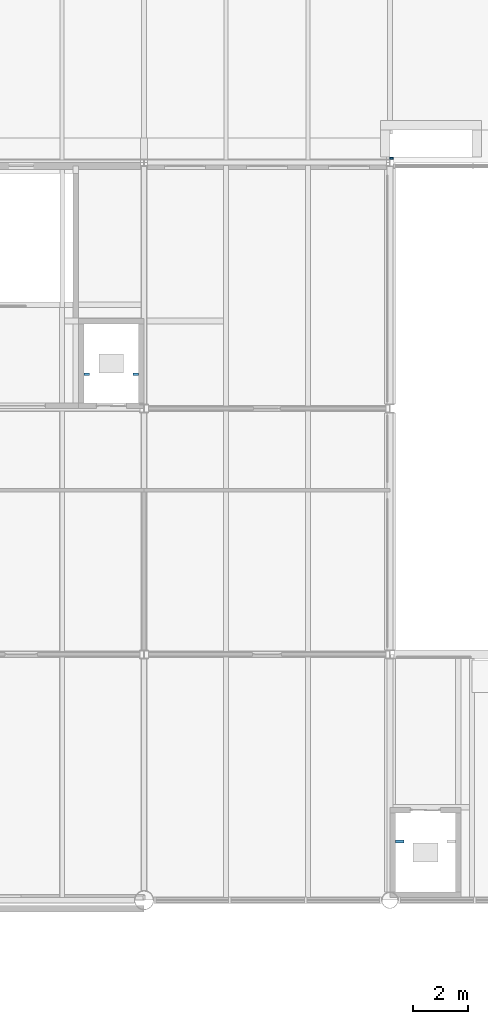
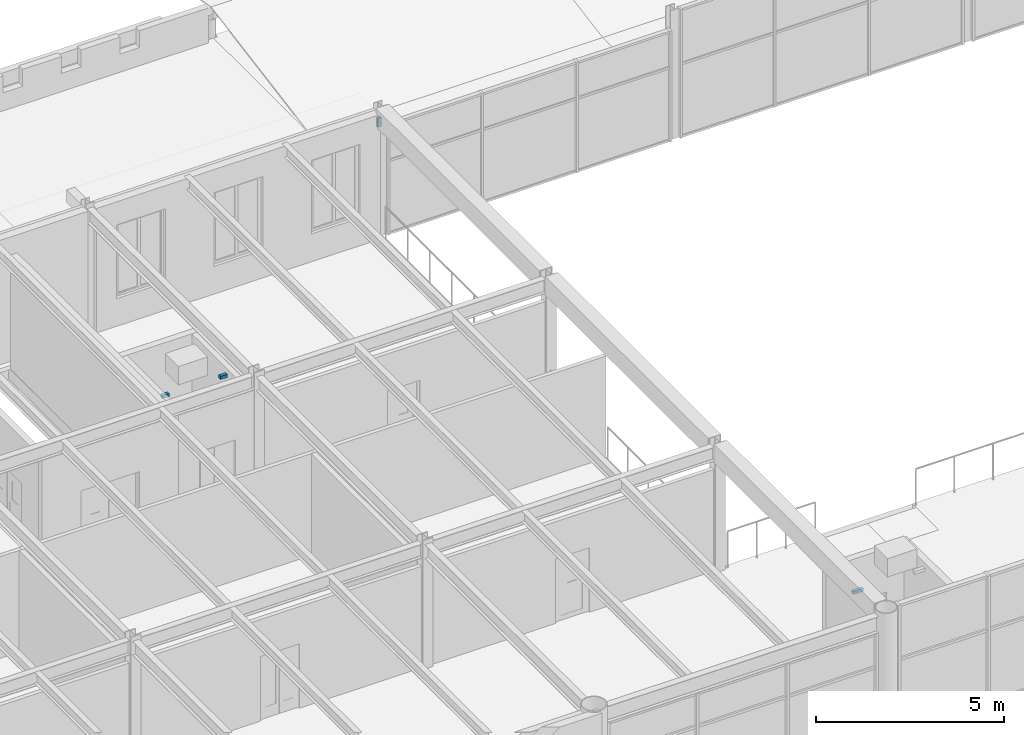
# One storey, part 93 of 123: 4 discrete accessories.
"""IFC4 building model written with IfcOpenShell, lengths in metres."""

from ifc_helpers import new_model, si_unit, direction, frame, origin, origin_2d, place, context, subcontext, project, spatial, rectangle, extrude, material, type_object, element, save


model = new_model("IFC4")

# Units and contexts
model_context = context("Model", 3, precision=1e-05, world=origin(), true_north=direction((0.0, 1.0)))
body_context = subcontext(model_context, "Body", "Model", "MODEL_VIEW")
ifc_project = project(units=[si_unit("LENGTHUNIT", "METRE"), si_unit("AREAUNIT", "SQUARE_METRE"), si_unit("VOLUMEUNIT", "CUBIC_METRE"), si_unit("PLANEANGLEUNIT", "RADIAN"), si_unit("MASSUNIT", "GRAM", prefix="KILO")], contexts=[model_context])

# Site, building, storey
site_placement = place(None, origin())
site = spatial("IfcSite", under=ifc_project, at=site_placement, CompositionType="ELEMENT")
building_placement = place(site_placement, origin())
building = spatial("IfcBuilding", under=site, at=building_placement, Name="Baradari Gate Terminus", CompositionType="ELEMENT")
storey_placement = place(building_placement, frame((0.0, 0.0, 7.5)))
storey = spatial("IfcBuildingStorey", under=building, at=storey_placement, Name="L01", CompositionType="ELEMENT", Elevation=7.5)

# Discrete accessories
ifc_material_1 = material(Name="Steel S355", Category="steel")
discrete_accessory_type_1 = type_object("IfcDiscreteAccessoryType", Name="Lift rail bracket RB-L1 100x100", PredefinedType="BRACKET", material=ifc_material_1)
for number, where, z_axis, x_axis, name in (
    (1, (123.905029296875, 100.25, 3.25), (0.0, 0.0, 1.0), (1.0, 0.0, 0.0), "Lift rail bracket LH2 1B"),
    (2, (125.695068359375, 100.25, 3.25), (0.0, 0.0, 1.0), (1.0, 0.0, 0.0), "Lift rail bracket LH2 2B"),
):
    element("IfcDiscreteAccessory", number, at=place(storey_placement, frame(where, z_axis=z_axis, x_axis=x_axis)), inside=storey, type_object=discrete_accessory_type_1, Name=name, PredefinedType="BRACKET", context=body_context, shape_type="SweptSolid", body=[
        extrude(rectangle(XDim=0.2099609375, YDim=0.10009765625, at=origin_2d()), origin(), (0.0, 0.0, 1.0), 0.10009765625),
    ])
discrete_accessory_1_placement = place(storey_placement, frame((135.35498046875, 83.14990234375, 3.25), z_axis=(0.0, 0.0, 1.0), x_axis=(1.0, 0.0, 0.0)))
element("IfcDiscreteAccessory", 3, at=discrete_accessory_1_placement, inside=storey, type_object=discrete_accessory_type_1, Name="Lift rail bracket LHL 1B", PredefinedType="BRACKET", context=body_context, shape_type="SweptSolid", body=[
    extrude(rectangle(XDim=0.31005859375, YDim=0.10009765625, at=origin_2d()), origin(), (0.0, 0.0, 1.0), 0.10009765625),
])
ifc_material_2 = material(Name="Steel S355", Category="steel")
discrete_accessory_type_2 = type_object("IfcDiscreteAccessoryType", Name="Pier tie cleat PT1 120x300", PredefinedType="BRACKET", material=ifc_material_2)
discrete_accessory_2_placement = place(storey_placement, frame((135.06005859375, 108.1650390625, 3.35009765625), z_axis=(0.0, 0.0, 1.0), x_axis=(1.0, 0.0, 0.0)))
element("IfcDiscreteAccessory", 4, at=discrete_accessory_2_placement, inside=storey, type_object=discrete_accessory_type_2, Name="Pier tie cleat at 135 level 11", PredefinedType="BRACKET", context=body_context, shape_type="SweptSolid", body=[
    extrude(rectangle(XDim=0.1201171875, YDim=0.06982421875, at=origin_2d()), origin(), (0.0, 0.0, 1.0), 0.300048828125),
])

save(model, "model.ifc")
